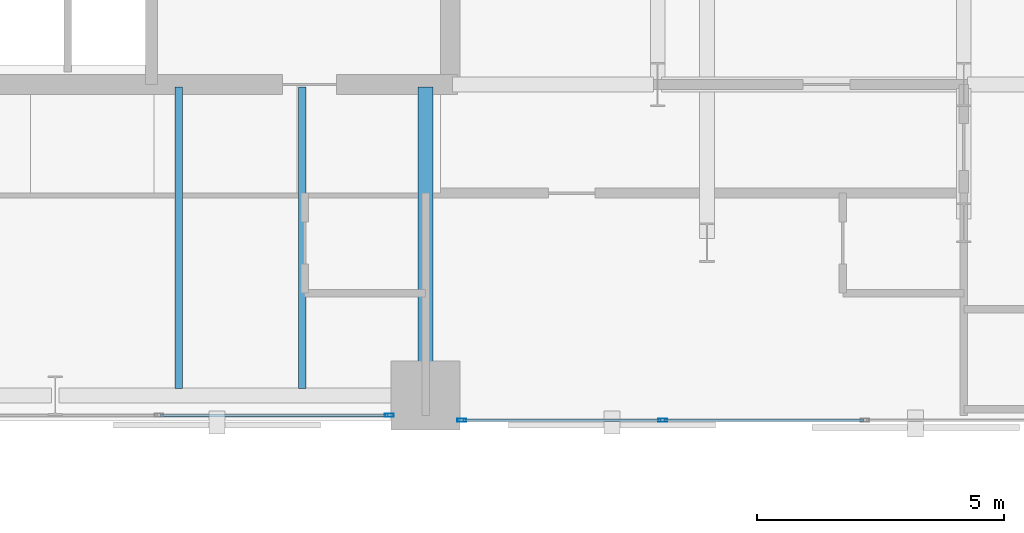
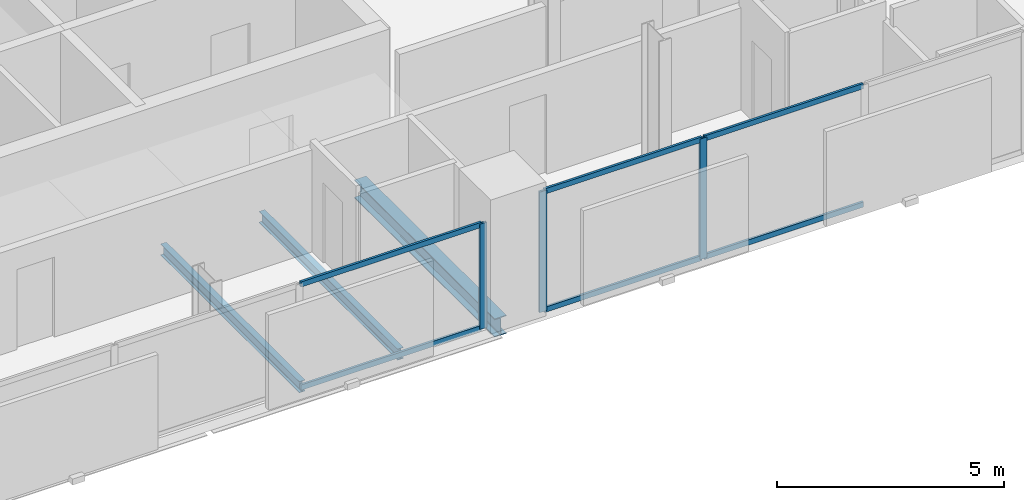
# One storey, part 15 of 33: 9 members, 3 beams, 2 elements without a shape of their own.
"""IFC4 building model written with IfcOpenShell, lengths in metres."""

from ifc_helpers import new_model, si_unit, direction, frame, origin, origin_2d, place, context, subcontext, project, spatial, hollow_rectangle, i_section, extrude, material, layer, layer_set, material_profile, profile_set, type_object, element, aggregate, save


model = new_model("IFC4")

# Units and contexts
model_context = context("Model", 3, precision=1e-05, world=origin(), true_north=direction((0.0, 1.0)))
body_context = subcontext(model_context, "Body", "Model", "MODEL_VIEW")
ifc_project = project(units=[si_unit("LENGTHUNIT", "METRE"), si_unit("AREAUNIT", "SQUARE_METRE"), si_unit("VOLUMEUNIT", "CUBIC_METRE"), si_unit("PLANEANGLEUNIT", "RADIAN"), si_unit("MASSUNIT", "GRAM", prefix="KILO")], contexts=[model_context])

# Site, building, storey
site_placement = place(None, origin())
site = spatial("IfcSite", under=ifc_project, at=site_placement, CompositionType="ELEMENT")
building_placement = place(site_placement, origin())
building = spatial("IfcBuilding", under=site, at=building_placement, Name="Catumbela Crestline Tower", CompositionType="ELEMENT")
storey_placement = place(building_placement, frame((0.0, 0.0, 76.2)))
storey = spatial("IfcBuildingStorey", under=building, at=storey_placement, Name="L19", CompositionType="ELEMENT", Elevation=76.2)

# Beams
ifc_material_1 = material(Name="Structural steel S355J2", Category="steel")
ifc_material_profile_1 = material_profile(ifc_material_1, i_section(OverallWidth=0.3, OverallDepth=0.49, WebThickness=0.012, FlangeThickness=0.023, FilletRadius=0.027, at=origin_2d()), Name="HEA 500")
ifc_profile_set_1 = profile_set([ifc_material_profile_1], Name="Structural steel S355J2")
beam_type_1 = type_object("IfcBeamType", Name="BG-HEA500", PredefinedType="BEAM", material=ifc_profile_set_1)
beam_placement = place(storey_placement, frame((39.5, 24.58, -0.505), z_axis=(0.0, 1.0, 0.0), x_axis=(-1.0, 0.0, 0.0)))
element("IfcBeam", 1, at=beam_placement, inside=storey, type_object=beam_type_1, Name="L19 Beam BM-L19-SNS34", PredefinedType="BEAM", context=body_context, shape_type="SweptSolid", body=[
    extrude(i_section(OverallWidth=0.3, OverallDepth=0.49, WebThickness=0.012, FlangeThickness=0.023, FilletRadius=0.027, at=origin_2d()), origin(), (0.0, 0.0, 1.0), 6.17),
])
ifc_material_profile_2 = material_profile(ifc_material_1, i_section(OverallWidth=0.15, OverallDepth=0.3, WebThickness=0.0071, FlangeThickness=0.0107, FilletRadius=0.015, at=origin_2d()), Name="IPE 300")
ifc_profile_set_2 = profile_set([ifc_material_profile_2], Name="Structural steel S355J2")
beam_type_2 = type_object("IfcBeamType", Name="BJ-IPE300", PredefinedType="JOIST", material=ifc_profile_set_2)
for number, where, z_axis, x_axis, name in (
    (2, (34.5, 24.647, -0.41), (0.0, 1.0, 0.0), (-1.0, 0.0, 0.0), "L19 Joist JS-L19-SP46"),
    (3, (37.0, 24.647, -0.41), (0.0, 1.0, 0.0), (-1.0, 0.0, 0.0), "L19 Joist JS-L19-SP47"),
):
    element("IfcBeam", number, at=place(storey_placement, frame(where, z_axis=z_axis, x_axis=x_axis)), inside=storey, type_object=beam_type_2, Name=name, PredefinedType="JOIST", context=body_context, shape_type="SweptSolid", body=[
        extrude(i_section(OverallWidth=0.15, OverallDepth=0.3, WebThickness=0.0071, FlangeThickness=0.0107, FilletRadius=0.015, at=origin_2d()), origin(), (0.0, 0.0, 1.0), 6.103),
    ])

# Curtain wall, member
ifc_material_2 = material(Name="Aluminium alloy AW-6060-T66", Category="aluminium")
ifc_layer = layer(ifc_material_2, 0.18, Name="Aluminium alloy AW-6060-T66")
ifc_layer_set = layer_set([ifc_layer], Name="Aluminium alloy AW-6060-T66")
curtain_wall_type = type_object("IfcCurtainWallType", Name="CWU-Z1", PredefinedType="USERDEFINED", material=ifc_layer_set)
curtain_wall_1_placement = place(storey_placement, origin())
curtain_wall_1 = element("IfcCurtainWall", 4, at=curtain_wall_1_placement, inside=storey, type_object=curtain_wall_type, Name="L19 Unitised Curtain Wall CW-L19-E3S1", ObjectType="UNITISED", PredefinedType="USERDEFINED")
ifc_material_profile_3 = material_profile(ifc_material_2, hollow_rectangle(XDim=0.065, YDim=0.18, WallThickness=0.004, at=origin_2d()), Name="ALU 180x65x4")
ifc_profile_set_3 = profile_set([ifc_material_profile_3], Name="Aluminium alloy AW-6060-T66")
member_type_1 = type_object("IfcMemberType", Name="MUL-180X65", PredefinedType="MULLION", material=ifc_profile_set_3)
member_1_placement = place(storey_placement, frame((38.7675, 24.1, 0.0), z_axis=(0.0, 0.0, 1.0), x_axis=(0.0, 1.0, 0.0)))
member_1 = element("IfcMember", 5, at=member_1_placement, type_object=member_type_1, Name="CWU-Z1 mullion 4", PredefinedType="MULLION", context=body_context, shape_type="SweptSolid", body=[
    extrude(hollow_rectangle(XDim=0.065, YDim=0.18, WallThickness=0.004, at=origin_2d()), origin(), (0.0, 0.0, 1.0), 2.83),
])

# Curtain wall, members
curtain_wall_2_placement = place(storey_placement, origin())
curtain_wall_2 = element("IfcCurtainWall", 6, at=curtain_wall_2_placement, inside=storey, type_object=curtain_wall_type, Name="L19 Unitised Curtain Wall CW-L19-E3S2", ObjectType="UNITISED", PredefinedType="USERDEFINED")
member_2_placement = place(storey_placement, frame((40.2325, 24.0, 0.0), z_axis=(0.0, 0.0, 1.0), x_axis=(0.0, 1.0, 0.0)))
member_2 = element("IfcMember", 7, at=member_2_placement, type_object=member_type_1, Name="CWU-Z1 mullion 1", PredefinedType="MULLION", context=body_context, shape_type="SweptSolid", body=[
    extrude(hollow_rectangle(XDim=0.065, YDim=0.18, WallThickness=0.004, at=origin_2d()), origin(), (0.0, 0.0, 1.0), 3.24),
])
member_3_placement = place(storey_placement, frame((44.3, 24.0, 0.0), z_axis=(0.0, 0.0, 1.0), x_axis=(0.0, 1.0, 0.0)))
member_3 = element("IfcMember", 8, at=member_3_placement, type_object=member_type_1, Name="CWU-Z1 mullion 2", PredefinedType="MULLION", context=body_context, shape_type="SweptSolid", body=[
    extrude(hollow_rectangle(XDim=0.065, YDim=0.18, WallThickness=0.004, at=origin_2d()), origin(), (0.0, 0.0, 1.0), 3.24),
])

# Member
ifc_material_profile_4 = material_profile(ifc_material_2, hollow_rectangle(XDim=0.06, YDim=0.14, WallThickness=0.004, at=origin_2d()), Name="ALU 140x60x4")
ifc_profile_set_4 = profile_set([ifc_material_profile_4], Name="Aluminium alloy AW-6060-T66")
member_type_2 = type_object("IfcMemberType", Name="TRN-140X60", PredefinedType="USERDEFINED", material=ifc_profile_set_4)
member_4_placement = place(storey_placement, frame((34.1325, 24.1, 0.03), z_axis=(1.0, 0.0, 0.0), x_axis=(0.0, 1.0, 0.0)))
member_4 = element("IfcMember", 9, at=member_4_placement, type_object=member_type_2, Name="CWU-Z1 transom 3.1", ObjectType="TRANSOM", PredefinedType="USERDEFINED", context=body_context, shape_type="SweptSolid", body=[
    extrude(hollow_rectangle(XDim=0.06, YDim=0.14, WallThickness=0.004, at=origin_2d()), origin(), (0.0, 0.0, 1.0), 4.6025),
])

member_5_placement = place(storey_placement, frame((34.1325, 24.1, 2.8), z_axis=(1.0, 0.0, 0.0), x_axis=(0.0, 1.0, 0.0)))
member_5 = element("IfcMember", 10, at=member_5_placement, type_object=member_type_2, Name="CWU-Z1 transom 3.2", ObjectType="TRANSOM", PredefinedType="USERDEFINED", context=body_context, shape_type="SweptSolid", body=[
    extrude(hollow_rectangle(XDim=0.06, YDim=0.14, WallThickness=0.004, at=origin_2d()), origin(), (0.0, 0.0, 1.0), 4.6025),
])

aggregate(curtain_wall_1, [member_1, member_4, member_5])

member_6_placement = place(storey_placement, frame((40.265, 24.0, 0.03), z_axis=(1.0, 0.0, 0.0), x_axis=(0.0, 1.0, 0.0)))
member_6 = element("IfcMember", 11, at=member_6_placement, type_object=member_type_2, Name="CWU-Z1 transom 1.1", ObjectType="TRANSOM", PredefinedType="USERDEFINED", context=body_context, shape_type="SweptSolid", body=[
    extrude(hollow_rectangle(XDim=0.06, YDim=0.14, WallThickness=0.004, at=origin_2d()), origin(), (0.0, 0.0, 1.0), 4.0025),
])

member_7_placement = place(storey_placement, frame((40.265, 24.0, 3.21), z_axis=(1.0, 0.0, 0.0), x_axis=(0.0, 1.0, 0.0)))
member_7 = element("IfcMember", 12, at=member_7_placement, type_object=member_type_2, Name="CWU-Z1 transom 1.2", ObjectType="TRANSOM", PredefinedType="USERDEFINED", context=body_context, shape_type="SweptSolid", body=[
    extrude(hollow_rectangle(XDim=0.06, YDim=0.14, WallThickness=0.004, at=origin_2d()), origin(), (0.0, 0.0, 1.0), 4.0025),
])

member_8_placement = place(storey_placement, frame((44.3325, 24.0, 0.03), z_axis=(1.0, 0.0, 0.0), x_axis=(0.0, 1.0, 0.0)))
member_8 = element("IfcMember", 13, at=member_8_placement, type_object=member_type_2, Name="CWU-Z1 transom 2.1", ObjectType="TRANSOM", PredefinedType="USERDEFINED", context=body_context, shape_type="SweptSolid", body=[
    extrude(hollow_rectangle(XDim=0.06, YDim=0.14, WallThickness=0.004, at=origin_2d()), origin(), (0.0, 0.0, 1.0), 4.035),
])

member_9_placement = place(storey_placement, frame((44.3325, 24.0, 3.21), z_axis=(1.0, 0.0, 0.0), x_axis=(0.0, 1.0, 0.0)))
member_9 = element("IfcMember", 14, at=member_9_placement, type_object=member_type_2, Name="CWU-Z1 transom 2.2", ObjectType="TRANSOM", PredefinedType="USERDEFINED", context=body_context, shape_type="SweptSolid", body=[
    extrude(hollow_rectangle(XDim=0.06, YDim=0.14, WallThickness=0.004, at=origin_2d()), origin(), (0.0, 0.0, 1.0), 4.035),
])

aggregate(curtain_wall_2, [member_2, member_3, member_6, member_7, member_8, member_9])

save(model, "model.ifc")
